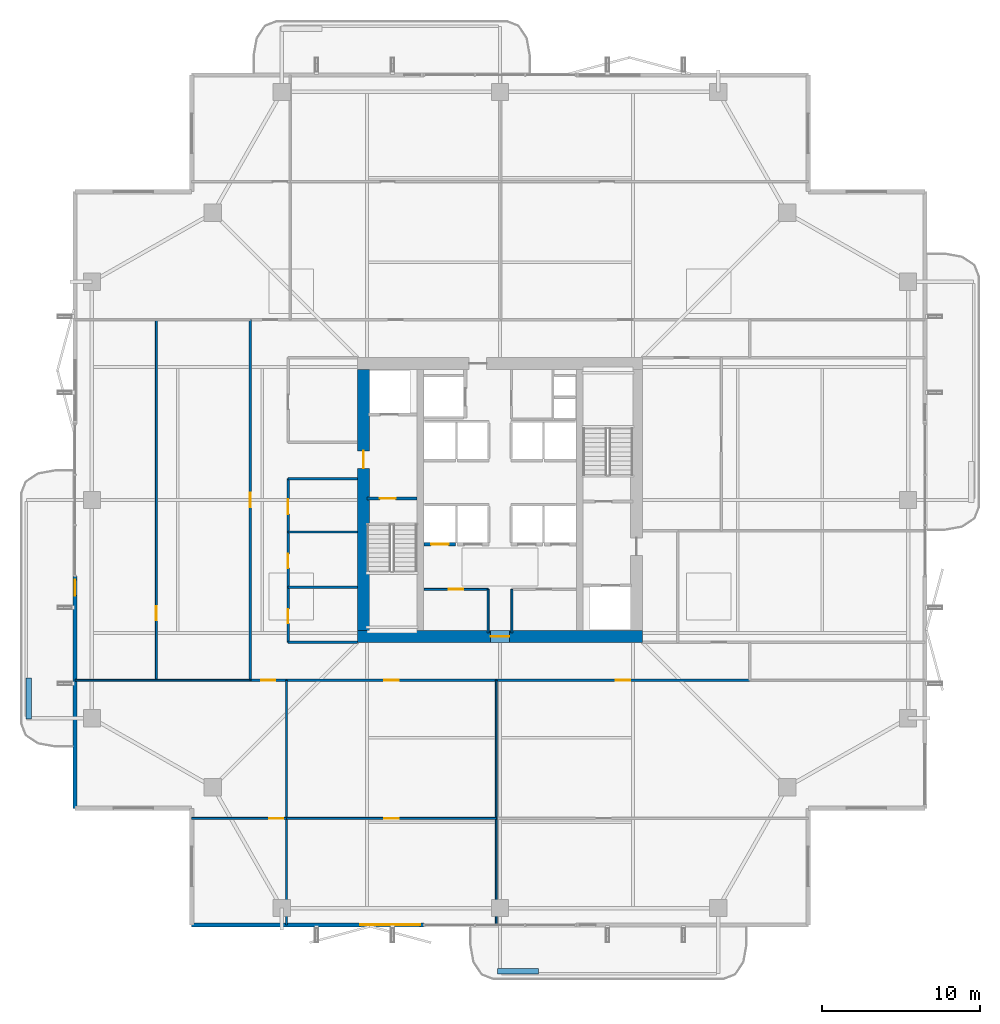
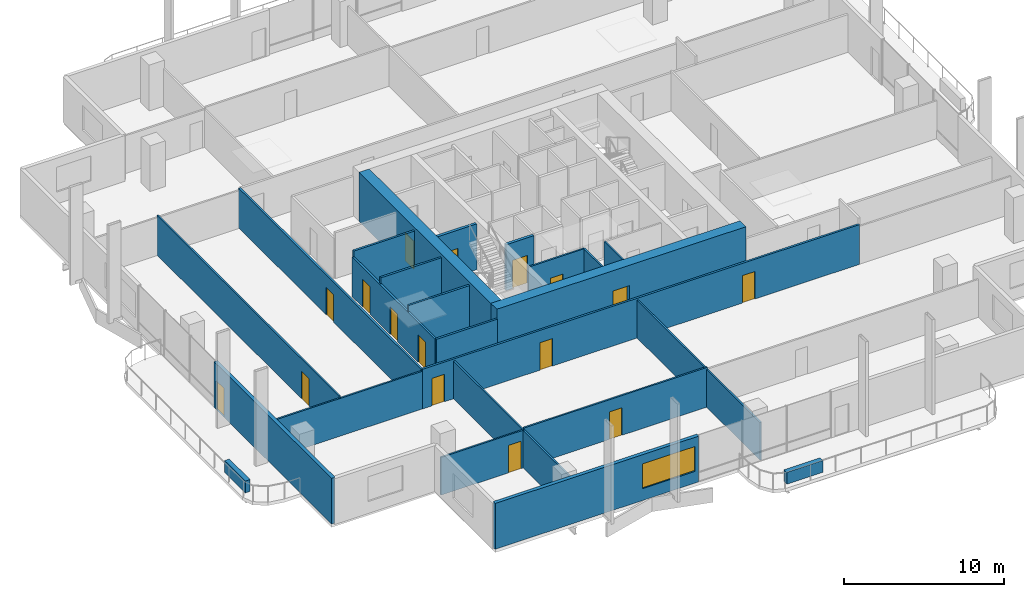
# One storey, part 17 of 24: 24 walls, 16 doors, 1 window, 17 openings.
"""IFC4 building model written with IfcOpenShell, lengths in metres."""

from ifc_helpers import new_model, si_unit, direction, frame, frame_2d, origin, place, context, subcontext, project, spatial, rectangle, extrude, material, layer, layer_set, type_object, element, fill, save


model = new_model("IFC4")

# Units and contexts
model_context = context("Model", 3, precision=1e-05, world=origin(), true_north=direction((0.0, 1.0)))
body_context = subcontext(model_context, "Body", "Model", "MODEL_VIEW")
ifc_project = project(units=[si_unit("LENGTHUNIT", "METRE"), si_unit("AREAUNIT", "SQUARE_METRE"), si_unit("VOLUMEUNIT", "CUBIC_METRE"), si_unit("PLANEANGLEUNIT", "RADIAN"), si_unit("MASSUNIT", "GRAM", prefix="KILO")], contexts=[model_context])

# Site, building, storey
site_placement = place(None, origin())
site = spatial("IfcSite", under=ifc_project, at=site_placement, CompositionType="ELEMENT")
building_placement = place(site_placement, origin())
building = spatial("IfcBuilding", under=site, at=building_placement, Name="Belovzor Exchange Tower", CompositionType="ELEMENT")
storey_placement = place(building_placement, frame((0.0, 0.0, 226.199951171875)))
storey = spatial("IfcBuildingStorey", under=building, at=storey_placement, Name="L56", CompositionType="ELEMENT", Elevation=226.199951171875)

# Wall, opening, door
ifc_material_1 = material(Name="Acoustic Plasterboard on Galvanised Studs", Category="gypsum")
ifc_layer_1 = layer(ifc_material_1, 0.1201171875)
ifc_layer_set_1 = layer_set([ifc_layer_1], Name="Acoustic Plasterboard on Galvanised Studs")
wall_type_1 = type_object("IfcWallType", Name="Acoustic Double-Stud Partition Wall 120", PredefinedType="PARTITIONING", material=ifc_layer_set_1)
wall_1_placement = place(storey_placement, frame((9.300048828125, 8.6650390625, 0.0), z_axis=(0.0, 0.0, 1.0), x_axis=(1.0, 0.0, 0.0)))
wall_1 = element("IfcWall", 1, at=wall_1_placement, inside=storey, type_object=wall_type_1, Name="W-P120 Partition Wall W-L56-SHDIV-0", PredefinedType="PARTITIONING", context=body_context, shape_type="SweptSolid", body=[
    extrude(rectangle(XDim=6.0, YDim=0.1201171875, at=frame_2d((3.0, 0.0))), origin(), (0.0, 0.0, 1.0), 2.885009765625),
])
opening_1_placement = place(wall_1_placement, frame((4.89990234375, 0.0, 0.0)))
opening_1 = element("IfcOpeningElement", 2, at=opening_1_placement, cuts=wall_1, Name="Opening D-INT-090", PredefinedType="OPENING", context=body_context, shape_type="SweptSolid", body=[
    extrude(rectangle(XDim=0.89990234375, YDim=2.10009765625, at=frame_2d((0.449951171875, 1.050048828125))), frame((0.0, 0.070068359375, 0.0), z_axis=(0.0, -1.0, 0.0), x_axis=(1.0, 0.0, 0.0)), (0.0, 0.0, 1.0), 0.14013671875),
])
ifc_material_2 = material(Name="Veneered Hardwood Acoustic Leaf", Category="wood")
door_type_1 = type_object("IfcDoorType", Name="Trading Suite Acoustic Single Door 900x2100", OperationType="NOTDEFINED", PredefinedType="DOOR", material=ifc_material_2)
door_1_placement = place(opening_1_placement, origin())
door_1 = element("IfcDoor", 3, at=door_1_placement, inside=storey, type_object=door_type_1, Name="D-INT-090 Trading Suite Acoustic Single Door 900x2100", OperationType="SINGLE_SWING_LEFT", OverallHeight=2.10009765625, OverallWidth=0.89990234375, PredefinedType="DOOR", context=body_context, shape_type="SweptSolid", body=[
    extrude(rectangle(XDim=0.89990234375, YDim=2.10009765625, at=frame_2d((0.449951171875, 1.050048828125))), frame((0.0, 0.02490234375, 0.0), z_axis=(0.0, -1.0, 0.0), x_axis=(1.0, 0.0, 0.0)), (0.0, 0.0, 1.0), 0.050048828125),
])
fill(opening_1, door_1)

# Wall
wall_2_placement = place(storey_placement, frame((15.300048828125, 1.929931640625, 0.0), z_axis=(0.0, 0.0, 1.0), x_axis=(0.0, 1.0, 0.0)))
element("IfcWall", 4, at=wall_2_placement, inside=storey, type_object=wall_type_1, Name="W-P120 Partition Wall W-L56-SDIV-1", PredefinedType="PARTITIONING", context=body_context, shape_type="SweptSolid", body=[
    extrude(rectangle(XDim=15.469970703125, YDim=0.1201171875, at=frame_2d((7.73486328125, 0.0))), origin(), (0.0, 0.0, 1.0), 2.885009765625),
])

# Wall, opening, door
wall_3_placement = place(storey_placement, frame((15.300048828125, 8.6650390625, 0.0), z_axis=(0.0, 0.0, 1.0), x_axis=(1.0, 0.0, 0.0)))
wall_3 = element("IfcWall", 5, at=wall_3_placement, inside=storey, type_object=wall_type_1, Name="W-P120 Partition Wall W-L56-SHDIV-1", PredefinedType="PARTITIONING", context=body_context, shape_type="SweptSolid", body=[
    extrude(rectangle(XDim=13.265869140625, YDim=0.1201171875, at=frame_2d((6.6328125, 0.0))), origin(), (0.0, 0.0, 1.0), 3.03515625),
])
opening_2_placement = place(wall_3_placement, frame((6.18310546875, 0.0, 0.0)))
opening_2 = element("IfcOpeningElement", 6, at=opening_2_placement, cuts=wall_3, Name="Opening D-INT-090", PredefinedType="OPENING", context=body_context, shape_type="SweptSolid", body=[
    extrude(rectangle(XDim=0.89990234375, YDim=2.10009765625, at=frame_2d((0.449951171875, 1.050048828125))), frame((0.0, 0.070068359375, 0.0), z_axis=(0.0, -1.0, 0.0), x_axis=(1.0, 0.0, 0.0)), (0.0, 0.0, 1.0), 0.14013671875),
])
door_2_placement = place(opening_2_placement, origin())
door_2 = element("IfcDoor", 7, at=door_2_placement, inside=storey, type_object=door_type_1, Name="D-INT-090 Trading Suite Acoustic Single Door 900x2100", OperationType="SINGLE_SWING_LEFT", OverallHeight=2.10009765625, OverallWidth=0.89990234375, PredefinedType="DOOR", context=body_context, shape_type="SweptSolid", body=[
    extrude(rectangle(XDim=0.89990234375, YDim=2.10009765625, at=frame_2d((0.449951171875, 1.050048828125))), frame((0.0, 0.02490234375, 0.0), z_axis=(0.0, -1.0, 0.0), x_axis=(1.0, 0.0, 0.0)), (0.0, 0.0, 1.0), 0.050048828125),
])
fill(opening_2, door_2)

# Wall
wall_4_placement = place(storey_placement, frame((28.56591796875, 1.929931640625, 0.0), z_axis=(0.0, 0.0, 1.0), x_axis=(0.0, 1.0, 0.0)))
element("IfcWall", 8, at=wall_4_placement, inside=storey, type_object=wall_type_1, Name="W-P120 Partition Wall W-L56-SDIV-2", PredefinedType="PARTITIONING", context=body_context, shape_type="SweptSolid", body=[
    extrude(rectangle(XDim=15.469970703125, YDim=0.1201171875, at=frame_2d((7.73486328125, 0.0))), origin(), (0.0, 0.0, 1.0), 2.885009765625),
])

# Wall, opening, door
wall_5_placement = place(storey_placement, frame((7.072998046875, 17.39990234375, 0.0), z_axis=(0.0, 0.0, 1.0), x_axis=(0.0, 1.0, 0.0)))
wall_5 = element("IfcWall", 9, at=wall_5_placement, inside=storey, type_object=wall_type_1, Name="W-P120 Partition Wall W-L56-WHDIV-0", PredefinedType="PARTITIONING", context=body_context, shape_type="SweptSolid", body=[
    extrude(rectangle(XDim=22.800048828125, YDim=0.1201171875, at=frame_2d((11.39990234375, 0.0))), origin(), (0.0, 0.0, 1.0), 3.03515625),
])
opening_3_placement = place(wall_5_placement, frame((3.782958984375, 0.0, 0.0)))
opening_3 = element("IfcOpeningElement", 10, at=opening_3_placement, cuts=wall_5, Name="Opening D-INT-090", PredefinedType="OPENING", context=body_context, shape_type="SweptSolid", body=[
    extrude(rectangle(XDim=0.89990234375, YDim=2.10009765625, at=frame_2d((0.449951171875, 1.050048828125))), frame((0.0, 0.070068359375, 0.0), z_axis=(0.0, -1.0, 0.0), x_axis=(1.0, 0.0, 0.0)), (0.0, 0.0, 1.0), 0.14013671875),
])
door_3_placement = place(opening_3_placement, origin())
door_3 = element("IfcDoor", 11, at=door_3_placement, inside=storey, type_object=door_type_1, Name="D-INT-090 Trading Suite Acoustic Single Door 900x2100", OperationType="SINGLE_SWING_LEFT", OverallHeight=2.10009765625, OverallWidth=0.89990234375, PredefinedType="DOOR", context=body_context, shape_type="SweptSolid", body=[
    extrude(rectangle(XDim=0.89990234375, YDim=2.10009765625, at=frame_2d((0.449951171875, 1.050048828125))), frame((0.0, 0.02490234375, 0.0), z_axis=(0.0, -1.0, 0.0), x_axis=(1.0, 0.0, 0.0)), (0.0, 0.0, 1.0), 0.050048828125),
])
fill(opening_3, door_3)

# Wall
wall_6_placement = place(storey_placement, frame((1.929931640625, 17.39990234375, 0.0), z_axis=(0.0, 0.0, 1.0), x_axis=(1.0, 0.0, 0.0)))
element("IfcWall", 12, at=wall_6_placement, inside=storey, type_object=wall_type_1, Name="W-P120 Partition Wall W-L56-END-SW", PredefinedType="PARTITIONING", context=body_context, shape_type="SweptSolid", body=[
    extrude(rectangle(XDim=11.070068359375, YDim=0.1201171875, at=frame_2d((5.53515625, 0.0))), origin(), (0.0, 0.0, 1.0), 2.885009765625),
])

# Wall, opening, door
ifc_material_3 = material(Name="Fire-Rated Plasterboard on Galvanised Studs", Category="gypsum")
ifc_layer_2 = layer(ifc_material_3, 0.1201171875)
ifc_layer_set_2 = layer_set([ifc_layer_2], Name="Fire-Rated Plasterboard on Galvanised Studs")
wall_type_2 = type_object("IfcWallType", Name="Fire-Rated Double-Stud Partition Wall 120", PredefinedType="PARTITIONING", material=ifc_layer_set_2)
wall_7_placement = place(storey_placement, frame((24.0, 23.14990234375, 0.0), z_axis=(0.0, 0.0, 1.0), x_axis=(1.0, 0.0, 0.0)))
wall_7 = element("IfcWall", 13, at=wall_7_placement, inside=storey, type_object=wall_type_2, Name="W-P120F Partition Wall W-CRL-L56-WN", PredefinedType="PARTITIONING", context=body_context, shape_type="SweptSolid", body=[
    extrude(rectangle(XDim=4.050048828125, YDim=0.1201171875, at=frame_2d((2.02490234375, 0.0))), origin(), (0.0, 0.0, 1.0), 3.5),
])
opening_4_placement = place(wall_7_placement, frame((1.574951171875, 0.0, 0.0)))
opening_4 = element("IfcOpeningElement", 14, at=opening_4_placement, cuts=wall_7, Name="Opening D-FD60-090", PredefinedType="OPENING", context=body_context, shape_type="SweptSolid", body=[
    extrude(rectangle(XDim=0.89990234375, YDim=2.10009765625, at=frame_2d((0.449951171875, 1.050048828125))), frame((0.0, 0.070068359375, 0.0), z_axis=(0.0, -1.0, 0.0), x_axis=(1.0, 0.0, 0.0)), (0.0, 0.0, 1.0), 0.14013671875),
])
ifc_material_4 = material(Name="Acoustic Timber Fire Leaf", Category="wood")
door_type_2 = type_object("IfcDoorType", Name="Core Service & Restroom Fire Door 900x2100", OperationType="NOTDEFINED", PredefinedType="DOOR", material=ifc_material_4)
door_4_placement = place(opening_4_placement, origin())
door_4 = element("IfcDoor", 15, at=door_4_placement, inside=storey, type_object=door_type_2, Name="D-FD60-090 Core Service & Restroom Fire Door 900x2100", OperationType="SINGLE_SWING_LEFT", OverallHeight=2.10009765625, OverallWidth=0.89990234375, PredefinedType="DOOR", context=body_context, shape_type="SweptSolid", body=[
    extrude(rectangle(XDim=0.89990234375, YDim=2.10009765625, at=frame_2d((0.449951171875, 1.050048828125))), frame((0.0, 0.02490234375, 0.0), z_axis=(0.0, -1.0, 0.0), x_axis=(1.0, 0.0, 0.0)), (0.0, 0.0, 1.0), 0.050048828125),
])
fill(opening_4, door_4)

# Walls
for number, where, z_axis, x_axis, name in (
    (16, (28.050048828125, 20.39990234375, 0.0), (0.0, 0.0, 1.0), (0.0, 1.0, 0.0), "W-P120F Partition Wall W-CRL-L56-WE"),
    (17, (29.550048828125, 20.39990234375, 0.0), (0.0, 0.0, 1.0), (0.0, 1.0, 0.0), "W-P120F Partition Wall W-CRL-L56-EW"),
):
    element("IfcWall", number, at=place(storey_placement, frame(where, z_axis=z_axis, x_axis=x_axis)), inside=storey, type_object=wall_type_2, Name=name, PredefinedType="PARTITIONING", context=body_context, shape_type="SweptSolid", body=[
        extrude(rectangle(XDim=2.75, YDim=0.1201171875, at=frame_2d((1.375, 0.0))), origin(), (0.0, 0.0, 1.0), 3.5),
    ])
ifc_material_5 = material(Name="Fire-Rated Gypsum Block and Mineral Wool", Category="gypsum")
ifc_layer_3 = layer(ifc_material_5, 0.14990234375)
ifc_layer_set_3 = layer_set([ifc_layer_3], Name="Fire-Rated Gypsum Block and Mineral Wool")
wall_type_3 = type_object("IfcWallType", Name="Fire-Rated Gypsum Block Corridor Wall 150", PredefinedType="PARTITIONING", material=ifc_layer_set_3)
wall_8_placement = place(storey_placement, frame((15.39990234375, 19.800048828125, 0.0), z_axis=(0.0, 0.0, 1.0), x_axis=(1.0, 0.0, 0.0)))
element("IfcWall", 18, at=wall_8_placement, inside=storey, type_object=wall_type_3, Name="W-P150 Partition Wall W-L56-WIC-S", PredefinedType="PARTITIONING", context=body_context, shape_type="SweptSolid", body=[
    extrude(rectangle(XDim=4.400146484375, YDim=0.14990234375, at=frame_2d((2.2001953125, 0.0))), origin(), (0.0, 0.0, 1.0), 3.03515625),
])
for number, where, z_axis, x_axis, name in (
    (19, (15.39990234375, 23.27490234375, 0.0), (0.0, 0.0, 1.0), (1.0, 0.0, 0.0), "W-P150 Partition Wall W-L56-WIC-D1"),
    (20, (15.39990234375, 26.77490234375, 0.0), (0.0, 0.0, 1.0), (1.0, 0.0, 0.0), "W-P150 Partition Wall W-L56-WIC-D2"),
    (21, (15.39990234375, 30.14990234375, 0.0), (0.0, 0.0, 1.0), (1.0, 0.0, 0.0), "W-P150 Partition Wall W-L56-WIC-N"),
):
    element("IfcWall", number, at=place(storey_placement, frame(where, z_axis=z_axis, x_axis=x_axis)), inside=storey, type_object=wall_type_3, Name=name, PredefinedType="PARTITIONING", context=body_context, shape_type="SweptSolid", body=[
        extrude(rectangle(XDim=4.400146484375, YDim=0.14990234375, at=frame_2d((2.2001953125, 0.0))), origin(), (0.0, 0.0, 1.0), 3.5),
    ])

# Wall, openings, doors
wall_9_placement = place(storey_placement, frame((15.39990234375, 19.800048828125, 0.0), z_axis=(0.0, 0.0, 1.0), x_axis=(0.0, 1.0, 0.0)))
wall_9 = element("IfcWall", 22, at=wall_9_placement, inside=storey, type_object=wall_type_3, Name="W-P150 Partition Wall W-L56-WIE-S", PredefinedType="PARTITIONING", context=body_context, shape_type="SweptSolid", body=[
    extrude(rectangle(XDim=10.349853515625, YDim=0.14990234375, at=frame_2d((5.1748046875, 0.0))), origin(), (0.0, 0.0, 1.0), 3.03515625),
])
opening_5_placement = place(wall_9_placement, frame((1.199951171875, 0.0, 0.0)))
opening_5 = element("IfcOpeningElement", 23, at=opening_5_placement, cuts=wall_9, Name="Opening D-FD60-090", PredefinedType="OPENING", context=body_context, shape_type="SweptSolid", body=[
    extrude(rectangle(XDim=0.89990234375, YDim=2.10009765625, at=frame_2d((0.449951171875, 1.050048828125))), frame((0.0, 0.0849609375, 0.0), z_axis=(0.0, -1.0, 0.0), x_axis=(1.0, 0.0, 0.0)), (0.0, 0.0, 1.0), 0.169921875),
])
opening_6_placement = place(wall_9_placement, frame((4.699951171875, 0.0, 0.0)))
opening_6 = element("IfcOpeningElement", 24, at=opening_6_placement, cuts=wall_9, Name="Opening D-FD60-090", PredefinedType="OPENING", context=body_context, shape_type="SweptSolid", body=[
    extrude(rectangle(XDim=0.89990234375, YDim=2.10009765625, at=frame_2d((0.449951171875, 1.050048828125))), frame((0.0, 0.0849609375, 0.0), z_axis=(0.0, -1.0, 0.0), x_axis=(1.0, 0.0, 0.0)), (0.0, 0.0, 1.0), 0.169921875),
])
opening_7_placement = place(wall_9_placement, frame((8.10009765625, 0.0, 0.0)))
opening_7 = element("IfcOpeningElement", 25, at=opening_7_placement, cuts=wall_9, Name="Opening D-FD60-095", PredefinedType="OPENING", context=body_context, shape_type="SweptSolid", body=[
    extrude(rectangle(XDim=0.949951171875, YDim=2.10009765625, at=frame_2d((0.47509765625, 1.050048828125))), frame((0.0, 0.0849609375, 0.0), z_axis=(0.0, -1.0, 0.0), x_axis=(1.0, 0.0, 0.0)), (0.0, 0.0, 1.0), 0.169921875),
])
ifc_material_6 = material(Name="Moisture-Resistant Timber Fire Leaf", Category="wood")
door_type_3 = type_object("IfcDoorType", Name="Accessible Restroom Wide Fire Door 950x2100", OperationType="NOTDEFINED", PredefinedType="DOOR", material=ifc_material_6)
door_5_placement = place(opening_7_placement, origin())
door_5 = element("IfcDoor", 26, at=door_5_placement, inside=storey, type_object=door_type_3, Name="D-FD60-095 Accessible Restroom Wide Fire Door 950x2100", OperationType="SINGLE_SWING_LEFT", OverallHeight=2.10009765625, OverallWidth=0.949951171875, PredefinedType="DOOR", context=body_context, shape_type="SweptSolid", body=[
    extrude(rectangle(XDim=0.949951171875, YDim=2.10009765625, at=frame_2d((0.47509765625, 1.050048828125))), frame((0.0, 0.02490234375, 0.0), z_axis=(0.0, -1.0, 0.0), x_axis=(1.0, 0.0, 0.0)), (0.0, 0.0, 1.0), 0.050048828125),
])
fill(opening_7, door_5)
door_6_placement = place(opening_5_placement, origin())
door_6 = element("IfcDoor", 27, at=door_6_placement, inside=storey, type_object=door_type_2, Name="D-FD60-090 Core Service & Restroom Fire Door 900x2100", OperationType="SINGLE_SWING_LEFT", OverallHeight=2.10009765625, OverallWidth=0.89990234375, PredefinedType="DOOR", context=body_context, shape_type="SweptSolid", body=[
    extrude(rectangle(XDim=0.89990234375, YDim=2.10009765625, at=frame_2d((0.449951171875, 1.050048828125))), frame((0.0, 0.02490234375, 0.0), z_axis=(0.0, -1.0, 0.0), x_axis=(1.0, 0.0, 0.0)), (0.0, 0.0, 1.0), 0.050048828125),
])
fill(opening_5, door_6)
door_7_placement = place(opening_6_placement, origin())
door_7 = element("IfcDoor", 28, at=door_7_placement, inside=storey, type_object=door_type_2, Name="D-FD60-090 Core Service & Restroom Fire Door 900x2100", OperationType="SINGLE_SWING_RIGHT", OverallHeight=2.10009765625, OverallWidth=0.89990234375, PredefinedType="DOOR", context=body_context, shape_type="SweptSolid", body=[
    extrude(rectangle(XDim=0.89990234375, YDim=2.10009765625, at=frame_2d((0.449951171875, 1.050048828125))), frame((0.0, 0.02490234375, 0.0), z_axis=(0.0, -1.0, 0.0), x_axis=(1.0, 0.0, 0.0)), (0.0, 0.0, 1.0), 0.050048828125),
])
fill(opening_6, door_7)

wall_10_placement = place(storey_placement, frame((13.0, 17.39990234375, 0.0), z_axis=(0.0, 0.0, 1.0), x_axis=(1.0, 0.0, 0.0)))
wall_10 = element("IfcWall", 29, at=wall_10_placement, inside=storey, type_object=wall_type_3, Name="W-P150 Partition Wall W-L56-CS", PredefinedType="PARTITIONING", context=body_context, shape_type="SweptSolid", body=[
    extrude(rectangle(XDim=31.60009765625, YDim=0.14990234375, at=frame_2d((15.800048828125, 0.0))), origin(), (0.0, 0.0, 1.0), 3.03515625),
])
opening_8_placement = place(wall_10_placement, frame((0.699951171875, 0.0, 0.0)))
opening_8 = element("IfcOpeningElement", 30, at=opening_8_placement, cuts=wall_10, Name="Opening D-INT-090", PredefinedType="OPENING", context=body_context, shape_type="SweptSolid", body=[
    extrude(rectangle(XDim=0.89990234375, YDim=2.10009765625, at=frame_2d((0.449951171875, 1.050048828125))), frame((0.0, 0.0849609375, 0.0), z_axis=(0.0, -1.0, 0.0), x_axis=(1.0, 0.0, 0.0)), (0.0, 0.0, 1.0), 0.169921875),
])
opening_9_placement = place(wall_10_placement, frame((8.48291015625, 0.0, 0.0)))
opening_9 = element("IfcOpeningElement", 31, at=opening_9_placement, cuts=wall_10, Name="Opening D-INT-090", PredefinedType="OPENING", context=body_context, shape_type="SweptSolid", body=[
    extrude(rectangle(XDim=0.89990234375, YDim=2.10009765625, at=frame_2d((0.449951171875, 1.050048828125))), frame((0.0, 0.0849609375, 0.0), z_axis=(0.0, -1.0, 0.0), x_axis=(1.0, 0.0, 0.0)), (0.0, 0.0, 1.0), 0.169921875),
])
opening_10_placement = place(wall_10_placement, frame((23.133056640625, 0.0, 0.0)))
opening_10 = element("IfcOpeningElement", 32, at=opening_10_placement, cuts=wall_10, Name="Opening D-INT-090", PredefinedType="OPENING", context=body_context, shape_type="SweptSolid", body=[
    extrude(rectangle(XDim=0.89990234375, YDim=2.10009765625, at=frame_2d((0.449951171875, 1.050048828125))), frame((0.0, 0.0849609375, 0.0), z_axis=(0.0, -1.0, 0.0), x_axis=(1.0, 0.0, 0.0)), (0.0, 0.0, 1.0), 0.169921875),
])
door_8_placement = place(opening_8_placement, origin())
door_8 = element("IfcDoor", 33, at=door_8_placement, inside=storey, type_object=door_type_1, Name="D-INT-090 Trading Suite Acoustic Single Door 900x2100", OperationType="SINGLE_SWING_LEFT", OverallHeight=2.10009765625, OverallWidth=0.89990234375, PredefinedType="DOOR", context=body_context, shape_type="SweptSolid", body=[
    extrude(rectangle(XDim=0.89990234375, YDim=2.10009765625, at=frame_2d((0.449951171875, 1.050048828125))), frame((0.0, 0.02490234375, 0.0), z_axis=(0.0, -1.0, 0.0), x_axis=(1.0, 0.0, 0.0)), (0.0, 0.0, 1.0), 0.050048828125),
])
fill(opening_8, door_8)
door_9_placement = place(opening_9_placement, origin())
door_9 = element("IfcDoor", 34, at=door_9_placement, inside=storey, type_object=door_type_1, Name="D-INT-090 Trading Suite Acoustic Single Door 900x2100", OperationType="SINGLE_SWING_RIGHT", OverallHeight=2.10009765625, OverallWidth=0.89990234375, PredefinedType="DOOR", context=body_context, shape_type="SweptSolid", body=[
    extrude(rectangle(XDim=0.89990234375, YDim=2.10009765625, at=frame_2d((0.449951171875, 1.050048828125))), frame((0.0, 0.02490234375, 0.0), z_axis=(0.0, -1.0, 0.0), x_axis=(1.0, 0.0, 0.0)), (0.0, 0.0, 1.0), 0.050048828125),
])
fill(opening_9, door_9)
door_10_placement = place(opening_10_placement, origin())
door_10 = element("IfcDoor", 35, at=door_10_placement, inside=storey, type_object=door_type_1, Name="D-INT-090 Trading Suite Acoustic Single Door 900x2100", OperationType="SINGLE_SWING_LEFT", OverallHeight=2.10009765625, OverallWidth=0.89990234375, PredefinedType="DOOR", context=body_context, shape_type="SweptSolid", body=[
    extrude(rectangle(XDim=0.89990234375, YDim=2.10009765625, at=frame_2d((0.449951171875, 1.050048828125))), frame((0.0, 0.02490234375, 0.0), z_axis=(0.0, -1.0, 0.0), x_axis=(1.0, 0.0, 0.0)), (0.0, 0.0, 1.0), 0.050048828125),
])
fill(opening_10, door_10)

# Wall, opening, door
wall_11_placement = place(storey_placement, frame((13.0, 17.39990234375, 0.0), z_axis=(0.0, 0.0, 1.0), x_axis=(0.0, 1.0, 0.0)))
wall_11 = element("IfcWall", 36, at=wall_11_placement, inside=storey, type_object=wall_type_3, Name="W-P150 Partition Wall W-L56-CWO", PredefinedType="PARTITIONING", context=body_context, shape_type="SweptSolid", body=[
    extrude(rectangle(XDim=22.800048828125, YDim=0.14990234375, at=frame_2d((11.39990234375, 0.0))), origin(), (0.0, 0.0, 1.0), 3.03515625),
])
opening_11_placement = place(wall_11_placement, frame((10.949951171875, 0.0, 0.0)))
opening_11 = element("IfcOpeningElement", 37, at=opening_11_placement, cuts=wall_11, Name="Opening D-INT-090", PredefinedType="OPENING", context=body_context, shape_type="SweptSolid", body=[
    extrude(rectangle(XDim=0.89990234375, YDim=2.10009765625, at=frame_2d((0.449951171875, 1.050048828125))), frame((0.0, 0.0849609375, 0.0), z_axis=(0.0, -1.0, 0.0), x_axis=(1.0, 0.0, 0.0)), (0.0, 0.0, 1.0), 0.169921875),
])
door_11_placement = place(opening_11_placement, origin())
door_11 = element("IfcDoor", 38, at=door_11_placement, inside=storey, type_object=door_type_1, Name="D-INT-090 Trading Suite Acoustic Single Door 900x2100", OperationType="SINGLE_SWING_LEFT", OverallHeight=2.10009765625, OverallWidth=0.89990234375, PredefinedType="DOOR", context=body_context, shape_type="SweptSolid", body=[
    extrude(rectangle(XDim=0.89990234375, YDim=2.10009765625, at=frame_2d((0.449951171875, 1.050048828125))), frame((0.0, 0.02490234375, 0.0), z_axis=(0.0, -1.0, 0.0), x_axis=(1.0, 0.0, 0.0)), (0.0, 0.0, 1.0), 0.050048828125),
])
fill(opening_11, door_11)

# Wall, opening, window
ifc_material_7 = material(Name="Precast concrete C40/50", Category="concrete")
ifc_layer_4 = layer(ifc_material_7, 0.260009765625)
ifc_layer_set_4 = layer_set([ifc_layer_4], Name="Precast concrete C40/50")
wall_type_4 = type_object("IfcWallType", Name="Precast Concrete Perimeter Loggia Frame Wall 260", PredefinedType="SOLIDWALL", material=ifc_layer_set_4)
wall_12_placement = place(storey_placement, frame((24.0, 1.929931640625, 0.0), z_axis=(0.0, 0.0, 1.0), x_axis=(-1.0, 0.0, 0.0)))
wall_12 = element("IfcWall", 39, at=wall_12_placement, inside=storey, type_object=wall_type_4, Name="W-EXT260 Precast Concrete Perimeter Loggia Frame Wall 260 L56", PredefinedType="SOLIDWALL", context=body_context, shape_type="SweptSolid", body=[
    extrude(rectangle(XDim=14.699951171875, YDim=0.260009765625, at=frame_2d((7.35009765625, 0.0))), origin(), (0.0, 0.0, 1.0), 3.5),
])
opening_12_placement = place(wall_12_placement, frame((0.25, 0.0, 0.89990234375)))
opening_12 = element("IfcOpeningElement", 40, at=opening_12_placement, cuts=wall_12, Name="Opening WN-RIB380", PredefinedType="OPENING", context=body_context, shape_type="SweptSolid", body=[
    extrude(rectangle(XDim=3.800048828125, YDim=1.89990234375, at=frame_2d((1.89990234375, 0.949951171875))), frame((0.0, 0.139892578125, 0.0), z_axis=(0.0, -1.0, 0.0), x_axis=(1.0, 0.0, 0.0)), (0.0, 0.0, 1.0), 0.280029296875),
])
ifc_material_8 = material(Name="Thermally Broken Aluminium and Triple Glazing", Category="aluminium")
window_type = type_object("IfcWindowType", Name="Streamline Moderne Horizontal Ribbon Window 3800x1900", PartitioningType="SINGLE_PANEL", PredefinedType="WINDOW", material=ifc_material_8)
window_placement = place(opening_12_placement, origin())
window = element("IfcWindow", 41, at=window_placement, inside=storey, type_object=window_type, Name="WN-RIB380 Streamline Moderne Horizontal Ribbon Window 3800x1900", OverallHeight=1.89990234375, OverallWidth=3.800048828125, PartitioningType="SINGLE_PANEL", PredefinedType="WINDOW", context=body_context, shape_type="SweptSolid", body=[
    extrude(rectangle(XDim=3.800048828125, YDim=1.89990234375, at=frame_2d((1.89990234375, 0.949951171875))), frame((0.0, 0.030029296875, 0.0), z_axis=(0.0, -1.0, 0.0), x_axis=(1.0, 0.0, 0.0)), (0.0, 0.0, 1.0), 0.06005859375),
])
fill(opening_12, window)

# Wall, opening, door
wall_13_placement = place(storey_placement, frame((1.929931640625, 9.300048828125, 0.0), z_axis=(0.0, 0.0, 1.0), x_axis=(0.0, 1.0, 0.0)))
wall_13 = element("IfcWall", 42, at=wall_13_placement, inside=storey, type_object=wall_type_4, Name="W-EXT260 Precast Concrete Perimeter Loggia Frame Wall 260 L56", PredefinedType="SOLIDWALL", context=body_context, shape_type="SweptSolid", body=[
    extrude(rectangle(XDim=14.699951171875, YDim=0.260009765625, at=frame_2d((7.35009765625, 0.0))), origin(), (0.0, 0.0, 1.0), 3.5),
])
opening_13_placement = place(wall_13_placement, frame((13.449951171875, 0.0, 0.0)))
opening_13 = element("IfcOpeningElement", 43, at=opening_13_placement, cuts=wall_13, Name="Opening D-BAL100", PredefinedType="OPENING", context=body_context, shape_type="SweptSolid", body=[
    extrude(rectangle(XDim=1.0, YDim=2.199951171875, at=frame_2d((0.5, 1.10009765625))), frame((0.0, 0.139892578125, 0.0), z_axis=(0.0, -1.0, 0.0), x_axis=(1.0, 0.0, 0.0)), (0.0, 0.0, 1.0), 0.280029296875),
])
ifc_material_9 = material(Name="Thermally Broken Anodised Aluminium and Laminated Glass", Category="aluminium")
door_type_4 = type_object("IfcDoorType", Name="Planted Loggia Terrace Glazed Door 1000x2200", OperationType="SINGLE_SWING_LEFT", PredefinedType="DOOR", material=ifc_material_9)
door_12_placement = place(opening_13_placement, origin())
door_12 = element("IfcDoor", 44, at=door_12_placement, inside=storey, type_object=door_type_4, Name="D-BAL100 Balcony Terrace Door L56 W", OperationType="SINGLE_SWING_RIGHT", OverallHeight=2.199951171875, OverallWidth=1.0, PredefinedType="DOOR", context=body_context, shape_type="SweptSolid", body=[
    extrude(rectangle(XDim=1.0, YDim=2.199951171875, at=frame_2d((0.5, 1.10009765625))), frame((0.0, 0.02490234375, 0.0), z_axis=(0.0, -1.0, 0.0), x_axis=(1.0, 0.0, 0.0)), (0.0, 0.0, 1.0), 0.050048828125),
])
fill(opening_13, door_12)

# Walls
ifc_material_10 = material(Name="Precast concrete C40/50", Category="concrete")
ifc_layer_5 = layer(ifc_material_10, 0.35009765625)
ifc_layer_set_5 = layer_set([ifc_layer_5], Name="Precast concrete C40/50")
wall_type_5 = type_object("IfcWallType", Name="Precast Concrete Structural Tree Planter Trough 350", PredefinedType="PARAPET", material=ifc_layer_set_5)
for number, where, z_axis, x_axis, name in (
    (45, (28.64990234375, -1.0, 0.0), (0.0, 0.0, 1.0), (1.0, 0.0, 0.0), "PT-350 Precast Concrete Structural Tree Planter Trough 350 L56"),
    (46, (-1.0, 14.949951171875, 0.0), (0.0, 0.0, 1.0), (0.0, 1.0, 0.0), "PT-350 Precast Concrete Structural Tree Planter Trough 350 L56"),
):
    element("IfcWall", number, at=place(storey_placement, frame(where, z_axis=z_axis, x_axis=x_axis)), inside=storey, type_object=wall_type_5, Name=name, PredefinedType="PARAPET", context=body_context, shape_type="SweptSolid", body=[
        extrude(rectangle(XDim=2.60009765625, YDim=0.35009765625, at=frame_2d((1.300048828125, 0.0))), origin(), (0.0, 0.0, 1.0), 0.900146484375),
    ])

# Wall, opening, door
ifc_material_11 = material(Name="Concrete C50/60", Category="concrete")
ifc_layer_6 = layer(ifc_material_11, 0.199951171875)
ifc_layer_set_6 = layer_set([ifc_layer_6], Name="Concrete C50/60")
wall_type_6 = type_object("IfcWallType", Name="Reinforced Concrete Core Shaft Shear Wall 200", PredefinedType="SHEAR", material=ifc_layer_set_6)
wall_14_placement = place(storey_placement, frame((20.39990234375, 28.89990234375, 0.0), z_axis=(0.0, 0.0, 1.0), x_axis=(1.0, 0.0, 0.0)))
wall_14 = element("IfcWall", 47, at=wall_14_placement, inside=storey, type_object=wall_type_6, Name="W-C200S Core Shaft Wall W-CORE-L56-FFLW1", PredefinedType="SHEAR", context=body_context, shape_type="SweptSolid", body=[
    extrude(rectangle(XDim=3.150146484375, YDim=0.199951171875, at=frame_2d((1.5751953125, 0.0))), origin(), (0.0, 0.0, 1.0), 3.5),
])
opening_14_placement = place(wall_14_placement, frame((0.800048828125, 0.0, 0.0)))
opening_14 = element("IfcOpeningElement", 48, at=opening_14_placement, cuts=wall_14, Name="Opening D-FD90-100", PredefinedType="OPENING", context=body_context, shape_type="SweptSolid", body=[
    extrude(rectangle(XDim=1.0, YDim=2.10009765625, at=frame_2d((0.5, 1.050048828125))), frame((0.0, 0.10986328125, 0.0), z_axis=(0.0, -1.0, 0.0), x_axis=(1.0, 0.0, 0.0)), (0.0, 0.0, 1.0), 0.219970703125),
])
ifc_material_12 = material(Name="Fire-Rated Galvanised Steel Leaf", Category="steel")
door_type_5 = type_object("IfcDoorType", Name="Protected Stairwell Single Fire Door 1000x2100", OperationType="NOTDEFINED", PredefinedType="DOOR", material=ifc_material_12)
door_13_placement = place(opening_14_placement, origin())
door_13 = element("IfcDoor", 49, at=door_13_placement, inside=storey, type_object=door_type_5, Name="D-FD90-100 Protected Stairwell Single Fire Door 1000x2100", OperationType="SINGLE_SWING_RIGHT", OverallHeight=2.10009765625, OverallWidth=1.0, PredefinedType="DOOR", context=body_context, shape_type="SweptSolid", body=[
    extrude(rectangle(XDim=1.0, YDim=2.10009765625, at=frame_2d((0.5, 1.050048828125))), frame((0.0, 0.02490234375, 0.0), z_axis=(0.0, -1.0, 0.0), x_axis=(1.0, 0.0, 0.0)), (0.0, 0.0, 1.0), 0.050048828125),
])
fill(opening_14, door_13)

wall_15_placement = place(storey_placement, frame((24.0, 26.0, 0.0), z_axis=(0.0, 0.0, 1.0), x_axis=(1.0, 0.0, 0.0)))
wall_15 = element("IfcWall", 50, at=wall_15_placement, inside=storey, type_object=wall_type_6, Name="W-C200S Core Shaft Wall W-SH-L56-PL-M1", PredefinedType="SHEAR", context=body_context, shape_type="SweptSolid", body=[
    extrude(rectangle(XDim=2.0, YDim=0.199951171875, at=frame_2d((1.0, 0.0))), origin(), (0.0, 0.0, 1.0), 3.5),
])
opening_15_placement = place(wall_15_placement, frame((0.449951171875, 0.0, 0.0)))
opening_15 = element("IfcOpeningElement", 51, at=opening_15_placement, cuts=wall_15, Name="Opening LD-110", PredefinedType="OPENING", context=body_context, shape_type="SweptSolid", body=[
    extrude(rectangle(XDim=1.10009765625, YDim=2.14990234375, at=frame_2d((0.550048828125, 1.074951171875))), frame((0.0, 0.10986328125, 0.0), z_axis=(0.0, -1.0, 0.0), x_axis=(1.0, 0.0, 0.0)), (0.0, 0.0, 1.0), 0.219970703125),
])
ifc_material_13 = material(Name="Stainless Steel Grade 304", Category="steel")
door_type_6 = type_object("IfcDoorType", Name="Automated Stainless Steel Lift Landing Door 1100x2150", OperationType="SLIDING_TO_RIGHT", PredefinedType="DOOR", material=ifc_material_13)
door_14_placement = place(opening_15_placement, origin())
door_14 = element("IfcDoor", 52, at=door_14_placement, inside=storey, type_object=door_type_6, Name="LD-110 Automated Stainless Steel Lift Landing Door 1100x2150", OperationType="SLIDING_TO_RIGHT", OverallHeight=2.14990234375, OverallWidth=1.10009765625, PredefinedType="DOOR", context=body_context, shape_type="SweptSolid", body=[
    extrude(rectangle(XDim=1.10009765625, YDim=2.14990234375, at=frame_2d((0.550048828125, 1.074951171875))), frame((0.0, 0.02490234375, 0.0), z_axis=(0.0, -1.0, 0.0), x_axis=(1.0, 0.0, 0.0)), (0.0, 0.0, 1.0), 0.050048828125),
])
fill(opening_15, door_14)

ifc_material_14 = material(Name="Concrete C50/60", Category="concrete")
ifc_layer_7 = layer(ifc_material_14, 0.75)
ifc_layer_set_7 = layer_set([ifc_layer_7], Name="Concrete C50/60")
wall_type_7 = type_object("IfcWallType", Name="Reinforced Concrete Core Shear Wall 750", PredefinedType="SHEAR", material=ifc_layer_set_7)
wall_16_placement = place(storey_placement, frame((19.800048828125, 20.175048828125, 0.0), z_axis=(0.0, 0.0, 1.0), x_axis=(1.0, 0.0, 0.0)))
wall_16 = element("IfcWall", 53, at=wall_16_placement, inside=storey, type_object=wall_type_7, Name="CW-S075 Core Shear Wall L56 S", PredefinedType="SHEAR", context=body_context, shape_type="SweptSolid", body=[
    extrude(rectangle(XDim=18.0, YDim=0.75, at=frame_2d((9.0, 0.0))), origin(), (0.0, 0.0, 1.0), 3.75),
])
opening_16_placement = place(wall_16_placement, frame((8.39990234375, 0.0, 0.0)))
opening_16 = element("IfcOpeningElement", 54, at=opening_16_placement, cuts=wall_16, Name="Opening D-FD90-120", PredefinedType="OPENING", context=body_context, shape_type="SweptSolid", body=[
    extrude(rectangle(XDim=1.199951171875, YDim=2.199951171875, at=frame_2d((0.60009765625, 1.10009765625))), frame((0.0, 0.385009765625, 0.0), z_axis=(0.0, -1.0, 0.0), x_axis=(1.0, 0.0, 0.0)), (0.0, 0.0, 1.0), 0.77001953125),
])
ifc_material_15 = material(Name="Fire-Rated Galvanised Steel Leaf", Category="steel")
door_type_7 = type_object("IfcDoorType", Name="Heavy Plant & Foyer Fire Door 1200x2200", OperationType="NOTDEFINED", PredefinedType="DOOR", material=ifc_material_15)
door_15_placement = place(opening_16_placement, origin())
door_15 = element("IfcDoor", 55, at=door_15_placement, inside=storey, type_object=door_type_7, Name="D-FD90-120 Heavy Plant & Foyer Fire Door 1200x2200", OperationType="SINGLE_SWING_LEFT", OverallHeight=2.199951171875, OverallWidth=1.199951171875, PredefinedType="DOOR", context=body_context, shape_type="SweptSolid", body=[
    extrude(rectangle(XDim=1.199951171875, YDim=2.199951171875, at=frame_2d((0.60009765625, 1.10009765625))), frame((0.0, 0.02490234375, 0.0), z_axis=(0.0, -1.0, 0.0), x_axis=(1.0, 0.0, 0.0)), (0.0, 0.0, 1.0), 0.050048828125),
])
fill(opening_16, door_15)

wall_17_placement = place(storey_placement, frame((20.175048828125, 20.550048828125, 0.0), z_axis=(0.0, 0.0, 1.0), x_axis=(0.0, 1.0, 0.0)))
wall_17 = element("IfcWall", 56, at=wall_17_placement, inside=storey, type_object=wall_type_7, Name="CW-S075 Core Shear Wall L56 W", PredefinedType="SHEAR", context=body_context, shape_type="SweptSolid", body=[
    extrude(rectangle(XDim=16.5, YDim=0.75, at=frame_2d((8.25, 0.0))), origin(), (0.0, 0.0, 1.0), 3.75),
])
opening_17_placement = place(wall_17_placement, frame((10.25, 0.0, 0.0)))
opening_17 = element("IfcOpeningElement", 57, at=opening_17_placement, cuts=wall_17, Name="Opening D-FD90-110", PredefinedType="OPENING", context=body_context, shape_type="SweptSolid", body=[
    extrude(rectangle(XDim=1.10009765625, YDim=2.14990234375, at=frame_2d((0.550048828125, 1.074951171875))), frame((0.0, 0.385009765625, 0.0), z_axis=(0.0, -1.0, 0.0), x_axis=(1.0, 0.0, 0.0)), (0.0, 0.0, 1.0), 0.77001953125),
])
ifc_material_16 = material(Name="Fire-Rated Galvanised Steel Leaf", Category="steel")
door_type_8 = type_object("IfcDoorType", Name="Protected Escape Vestibule Fire Door 1100x2150", OperationType="NOTDEFINED", PredefinedType="DOOR", material=ifc_material_16)
door_16_placement = place(opening_17_placement, origin())
door_16 = element("IfcDoor", 58, at=door_16_placement, inside=storey, type_object=door_type_8, Name="D-FD90-110 Protected Escape Vestibule Fire Door 1100x2150", OperationType="SINGLE_SWING_LEFT", OverallHeight=2.14990234375, OverallWidth=1.10009765625, PredefinedType="DOOR", context=body_context, shape_type="SweptSolid", body=[
    extrude(rectangle(XDim=1.10009765625, YDim=2.14990234375, at=frame_2d((0.550048828125, 1.074951171875))), frame((0.0, 0.02490234375, 0.0), z_axis=(0.0, -1.0, 0.0), x_axis=(1.0, 0.0, 0.0)), (0.0, 0.0, 1.0), 0.050048828125),
])
fill(opening_17, door_16)

save(model, "model.ifc")
